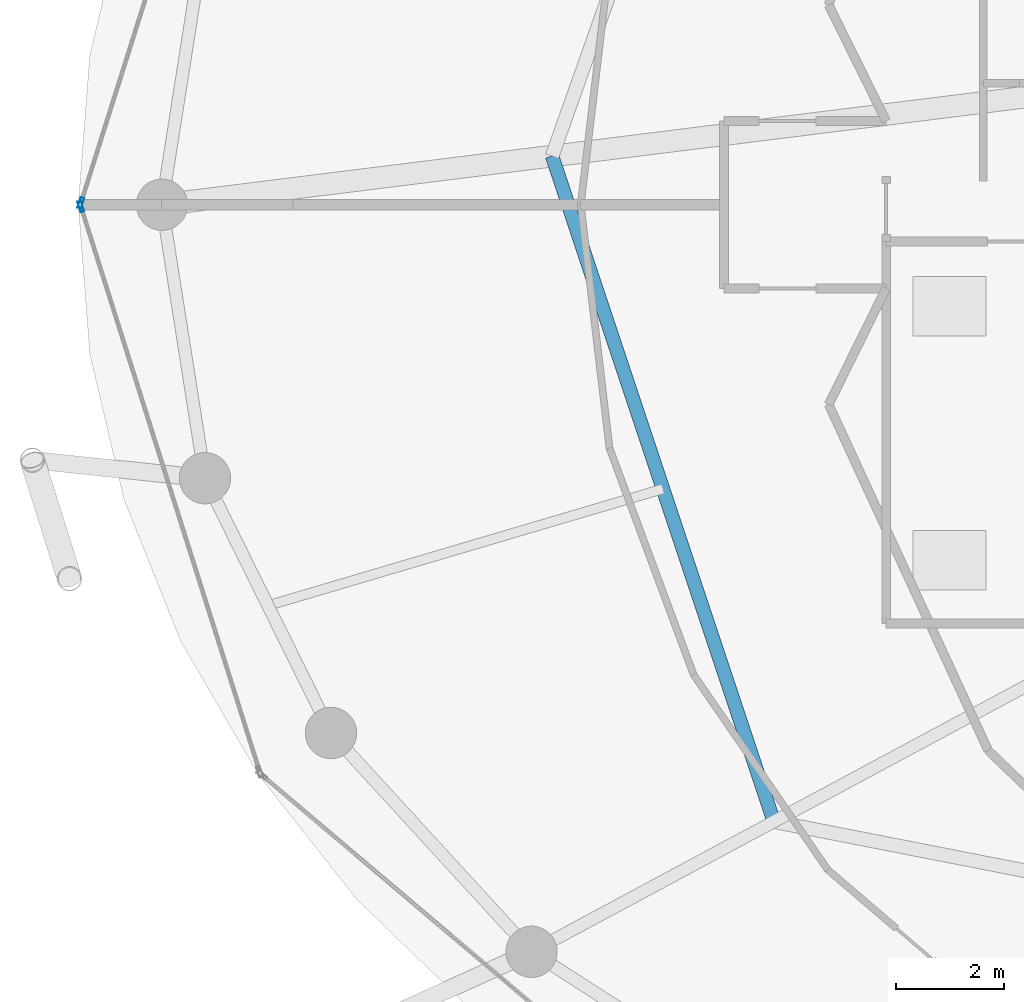
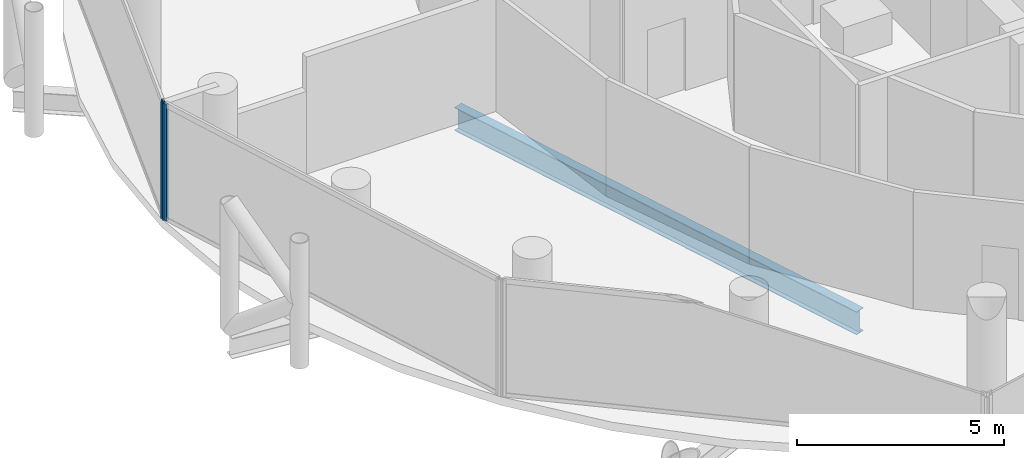
# One storey, part 6 of 26: 2 members, 1 beam, 2 elements without a shape of their own.
"""IFC4 building model written with IfcOpenShell, lengths in metres."""

from ifc_helpers import new_model, si_unit, direction, frame, origin, origin_2d, place, context, subcontext, project, spatial, hollow_rectangle, i_section, extrude, material, layer, layer_set, material_profile, profile_set, type_object, element, aggregate, save


model = new_model("IFC4")

# Units and contexts
model_context = context("Model", 3, precision=1e-05, world=origin(), true_north=direction((0.0, 1.0)))
body_context = subcontext(model_context, "Body", "Model", "MODEL_VIEW")
ifc_project = project(units=[si_unit("LENGTHUNIT", "METRE"), si_unit("AREAUNIT", "SQUARE_METRE"), si_unit("VOLUMEUNIT", "CUBIC_METRE"), si_unit("PLANEANGLEUNIT", "RADIAN"), si_unit("MASSUNIT", "GRAM", prefix="KILO")], contexts=[model_context])

# Site, building, storey
site_placement = place(None, origin())
site = spatial("IfcSite", under=ifc_project, at=site_placement, CompositionType="ELEMENT")
building_placement = place(site_placement, origin())
building = spatial("IfcBuilding", under=site, at=building_placement, Name="Nuhasar Tower", CompositionType="ELEMENT")
storey_placement = place(building_placement, frame((0.0, 0.0, 118.25)))
storey = spatial("IfcBuildingStorey", under=building, at=storey_placement, Name="L27", CompositionType="ELEMENT", Elevation=118.25)

# Beam
ifc_material_1 = material(Name="Steel S355", Category="steel")
ifc_material_profile_1 = material_profile(ifc_material_1, i_section(OverallWidth=0.25390625, OverallDepth=0.68408203125, WebThickness=0.012451171875, FlangeThickness=0.018798828125, at=origin_2d()), Name="W27X94")
ifc_profile_set_1 = profile_set([ifc_material_profile_1], Name="Steel S355")
beam_type = type_object("IfcBeamType", Name="BM-INRING-W27X94", PredefinedType="BEAM", material=ifc_profile_set_1)
beam_placement = place(storey_placement, frame((22.8701171875, 27.699951171875, -0.592041015625), z_axis=(0.31609797573, -0.948726551615, 0.0), x_axis=(0.948726551615, 0.31609797573, 0.0)))
element("IfcBeam", 1, at=beam_placement, inside=storey, type_object=beam_type, Name="L27 Inner Header Beam 08", PredefinedType="BEAM", context=body_context, shape_type="SweptSolid", body=[
    extrude(i_section(OverallWidth=0.25390625, OverallDepth=0.68408203125, WebThickness=0.012451171875, FlangeThickness=0.018798828125, at=origin_2d()), origin(), (0.0, 0.0, 1.0), 12.9794921875),
])

# Curtain wall, member
ifc_material_2 = material(Name="Aluminium 6063-T6", Category="aluminium")
ifc_layer = layer(ifc_material_2, 0.199951171875)
ifc_layer_set = layer_set([ifc_layer], Name="Aluminium 6063-T6")
curtain_wall_type = type_object("IfcCurtainWallType", Name="CW-Z2-HTL", PredefinedType="NOTDEFINED", material=ifc_layer_set)
curtain_wall_1_placement = place(storey_placement, origin())
curtain_wall_1 = element("IfcCurtainWall", 2, at=curtain_wall_1_placement, inside=storey, type_object=curtain_wall_type, Name="L27 Unitised Curtain Wall 06", PredefinedType="NOTDEFINED")
ifc_material_profile_2 = material_profile(ifc_material_2, hollow_rectangle(XDim=0.070068359375, YDim=0.199951171875, WallThickness=0.0048828125, at=origin_2d()), Name="CWM-3")
ifc_profile_set_2 = profile_set([ifc_material_profile_2], Name="Aluminium 6063-T6")
member_type = type_object("IfcMemberType", Name="CW-MUL-S3", PredefinedType="MULLION", material=ifc_profile_set_2)
member_1_placement = place(storey_placement, frame((14.150634765625, 26.833251953125, 0.0), z_axis=(0.0, 0.0, 1.0), x_axis=(0.953433389233, -0.301603667577, 0.0)))
member_1 = element("IfcMember", 3, at=member_1_placement, type_object=member_type, Name="CW-Z2 mullion 2", PredefinedType="MULLION", context=body_context, shape_type="SweptSolid", body=[
    extrude(hollow_rectangle(XDim=0.070068359375, YDim=0.199951171875, WallThickness=0.0048828125, at=origin_2d()), origin(), (0.0, 0.0, 1.0), 3.449951171875),
])
aggregate(curtain_wall_1, [member_1])

curtain_wall_2_placement = place(storey_placement, origin())
curtain_wall_2 = element("IfcCurtainWall", 4, at=curtain_wall_2_placement, inside=storey, type_object=curtain_wall_type, Name="L27 Unitised Curtain Wall 07", PredefinedType="NOTDEFINED")
member_2_placement = place(storey_placement, frame((14.150634765625, 26.7666015625, 0.0), z_axis=(0.0, 0.0, 1.0), x_axis=(0.953433389233, 0.301603667577, 0.0)))
member_2 = element("IfcMember", 5, at=member_2_placement, type_object=member_type, Name="CW-Z2 mullion 1", PredefinedType="MULLION", context=body_context, shape_type="SweptSolid", body=[
    extrude(hollow_rectangle(XDim=0.070068359375, YDim=0.199951171875, WallThickness=0.0048828125, at=origin_2d()), origin(), (0.0, 0.0, 1.0), 3.449951171875),
])
aggregate(curtain_wall_2, [member_2])

save(model, "model.ifc")
